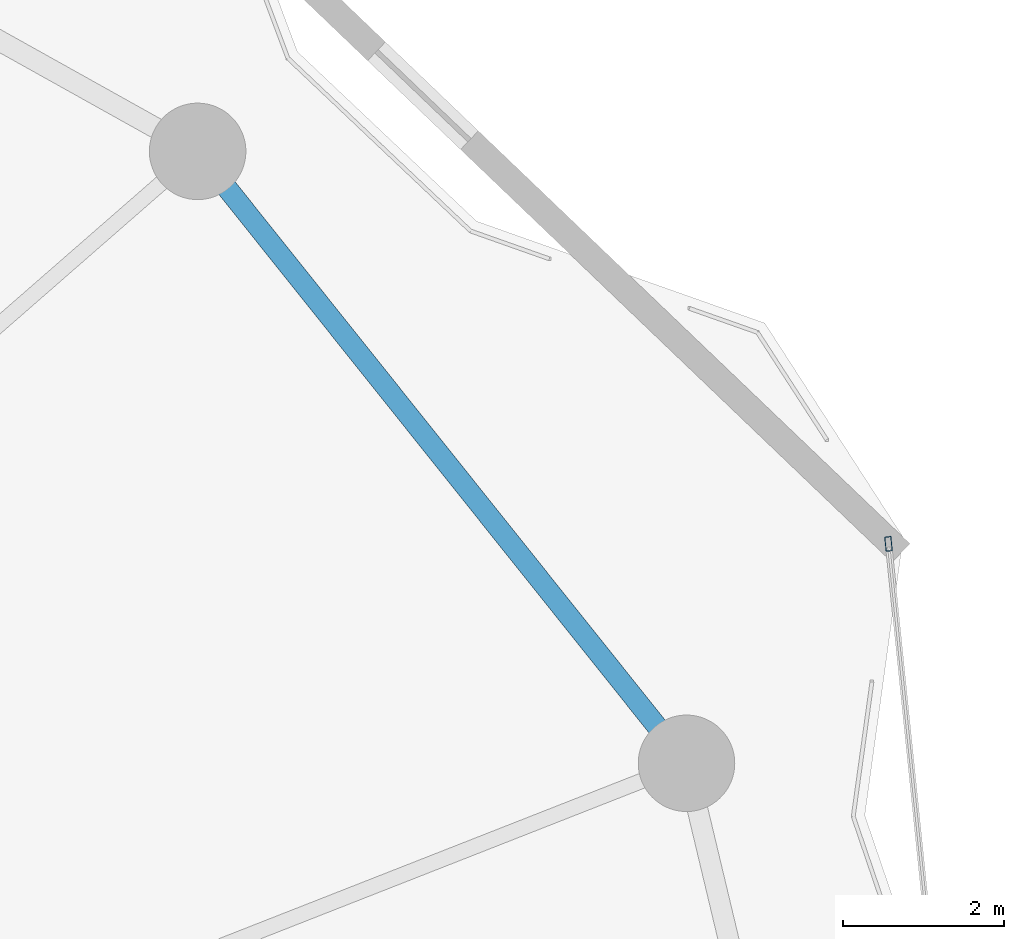
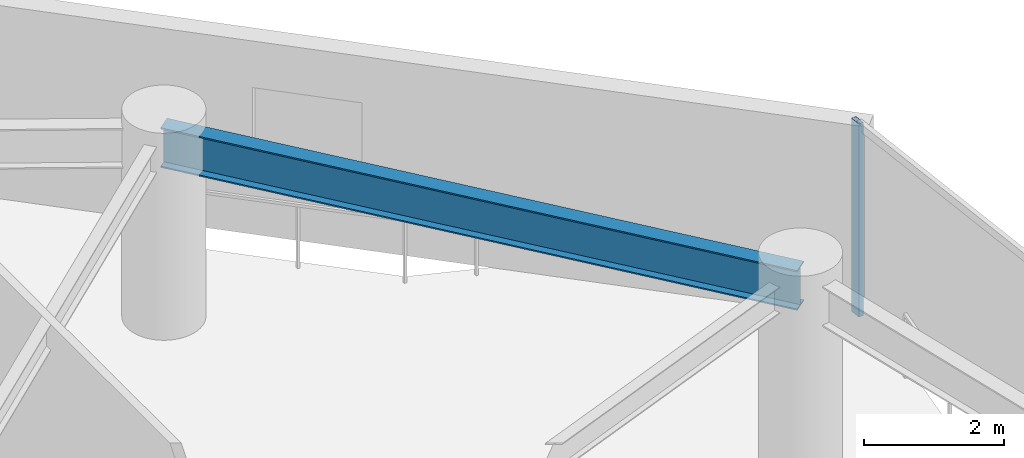
# One storey, part 23 of 30: 1 beam, 1 member, 1 element without a shape of its own.
"""IFC4 building model written with IfcOpenShell, lengths in metres."""

from ifc_helpers import new_model, si_unit, direction, frame, origin, origin_2d, place, context, subcontext, project, spatial, hollow_rectangle, i_section, extrude, material, layer, layer_set, material_profile, profile_set, type_object, element, aggregate, save


model = new_model("IFC4")

# Units and contexts
model_context = context("Model", 3, precision=1e-05, world=origin(), true_north=direction((0.0, 1.0)))
body_context = subcontext(model_context, "Body", "Model", "MODEL_VIEW")
ifc_project = project(units=[si_unit("LENGTHUNIT", "METRE"), si_unit("AREAUNIT", "SQUARE_METRE"), si_unit("VOLUMEUNIT", "CUBIC_METRE"), si_unit("PLANEANGLEUNIT", "RADIAN"), si_unit("MASSUNIT", "GRAM", prefix="KILO")], contexts=[model_context])

# Site, building, storey
site_placement = place(None, origin())
site = spatial("IfcSite", under=ifc_project, at=site_placement, CompositionType="ELEMENT")
building_placement = place(site_placement, origin())
building = spatial("IfcBuilding", under=site, at=building_placement, Name="Kazevale Care Tower and Concert Hall", CompositionType="ELEMENT")
storey_placement = place(building_placement, frame((0.0, 0.0, 127.800048828125)))
storey = spatial("IfcBuildingStorey", under=building, at=storey_placement, Name="L33", CompositionType="ELEMENT", Elevation=127.800048828125)

# Curtain wall, member
ifc_material_1 = material(Name="Aluminium 6063-T6 and Low-E Glass", Category="aluminium")
ifc_layer = layer(ifc_material_1, 0.179931640625)
ifc_layer_set = layer_set([ifc_layer], Name="Aluminium 6063-T6 and Low-E Glass")
curtain_wall_type = type_object("IfcCurtainWallType", Name="Waist & Upper Residential Curtain Wall CW-4", PredefinedType="NOTDEFINED", material=ifc_layer_set)
curtain_wall_placement = place(storey_placement, origin())
curtain_wall = element("IfcCurtainWall", 1, at=curtain_wall_placement, inside=storey, type_object=curtain_wall_type, Name="cw:L33:f18", PredefinedType="NOTDEFINED")
ifc_material_2 = material(Name="Aluminium 6063-T6", Category="aluminium")
ifc_material_profile_1 = material_profile(ifc_material_2, hollow_rectangle(XDim=0.080078125, YDim=0.179931640625, WallThickness=0.0048828125, at=origin_2d()), Name="ALU80x180x5")
ifc_profile_set_1 = profile_set([ifc_material_profile_1], Name="Aluminium 6063-T6")
member_type = type_object("IfcMemberType", Name="CW-4 Mullion ALU80x180x5", PredefinedType="MULLION", material=ifc_profile_set_1)
member_placement = place(storey_placement, frame((73.422119140625, 49.6982421875, 0.0), z_axis=(0.0, 0.0, 1.0), x_axis=(0.994797747326, 0.101869730126, 0.0)))
member = element("IfcMember", 2, at=member_placement, type_object=member_type, Name="CW-4 mullion 1", PredefinedType="MULLION", context=body_context, shape_type="SweptSolid", body=[
    extrude(hollow_rectangle(XDim=0.080078125, YDim=0.179931640625, WallThickness=0.0048828125, at=origin_2d()), origin(), (0.0, 0.0, 1.0), 3.35986328125),
])
aggregate(curtain_wall, [member])

# Beam
ifc_material_3 = material(Name="Steel ASTM A572 Gr 50", Category="steel")
ifc_material_profile_2 = material_profile(ifc_material_3, i_section(OverallWidth=0.256103515625, OverallDepth=0.693115234375, WebThickness=0.014404296875, FlangeThickness=0.023681640625, at=origin_2d()), Name="W690x170")
ifc_profile_set_2 = profile_set([ifc_material_profile_2], Name="Steel ASTM A572 Gr 50")
beam_type = type_object("IfcBeamType", Name="Waist Ring Beam W690x170", PredefinedType="BEAM", material=ifc_profile_set_2)
beam_placement = place(storey_placement, frame((70.909912109375, 46.969970703125, 3.013427734375), z_axis=(-0.624178340034, 0.781281895242, 0.0), x_axis=(-0.781281895242, -0.624178340034, 0.0)))
element("IfcBeam", 3, at=beam_placement, inside=storey, type_object=beam_type, Name="beam:L33:ring:02", PredefinedType="BEAM", context=body_context, shape_type="SweptSolid", body=[
    extrude(i_section(OverallWidth=0.256103515625, OverallDepth=0.693115234375, WebThickness=0.014404296875, FlangeThickness=0.023681640625, at=origin_2d()), origin(), (0.0, 0.0, 1.0), 9.740478515625),
])

save(model, "model.ifc")
